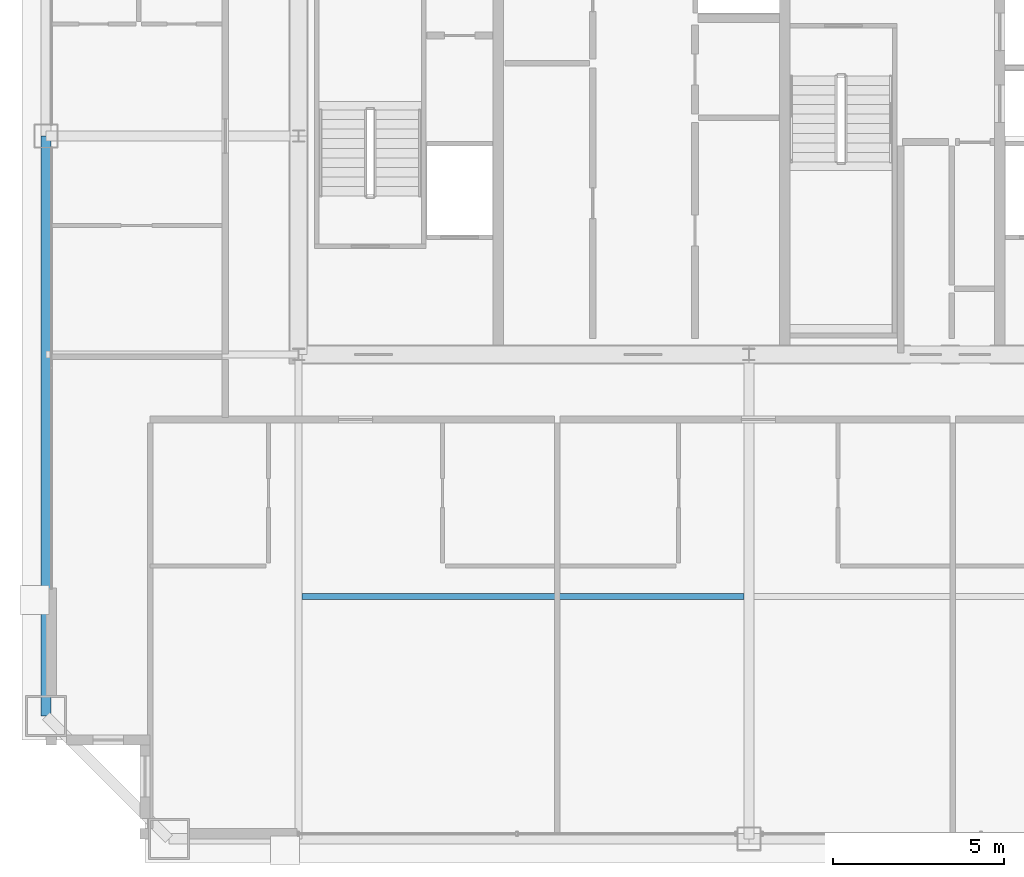
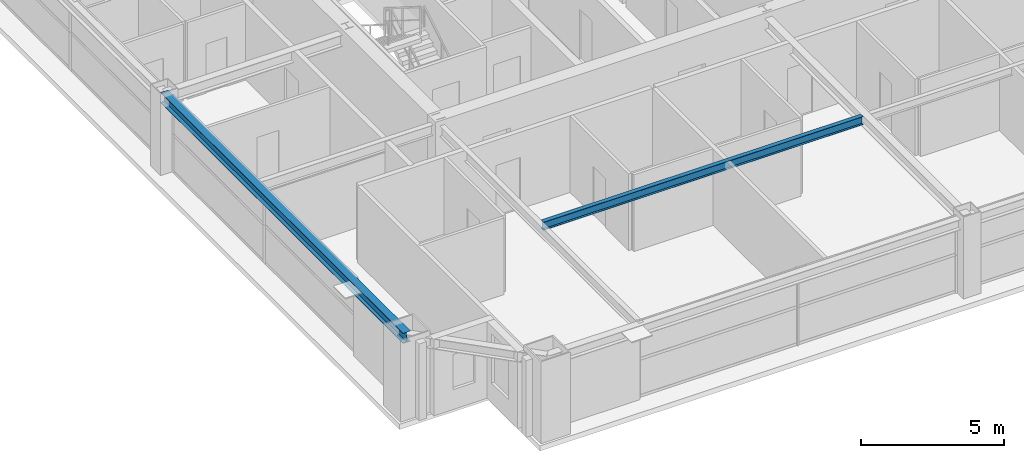
# One storey, part 7 of 37: 2 beams.
"""IFC4 building model written with IfcOpenShell, lengths in metres."""

from ifc_helpers import new_model, si_unit, direction, frame, origin, origin_2d, place, context, subcontext, project, spatial, i_section, extrude, source, transform, mapped, material, material_profile, profile_set, type_object, element, save


model = new_model("IFC4")

# Units and contexts
model_context = context("Model", 3, precision=1e-05, world=origin(), true_north=direction((0.0, 1.0)))
body_context = subcontext(model_context, "Body", "Model", "MODEL_VIEW")
ifc_project = project(units=[si_unit("LENGTHUNIT", "METRE"), si_unit("AREAUNIT", "SQUARE_METRE"), si_unit("VOLUMEUNIT", "CUBIC_METRE"), si_unit("PLANEANGLEUNIT", "RADIAN"), si_unit("MASSUNIT", "GRAM", prefix="KILO"), si_unit("THERMODYNAMICTEMPERATUREUNIT", "KELVIN"), si_unit("POWERUNIT", "WATT")], contexts=[model_context])

# Site, building, storey
site_placement = place(None, origin())
site = spatial("IfcSite", under=ifc_project, at=site_placement, CompositionType="ELEMENT")
building_placement = place(site_placement, origin())
building = spatial("IfcBuilding", under=site, at=building_placement, Name="Yuzanri Waterfront Tower", CompositionType="ELEMENT")
storey_placement = place(building_placement, frame((0.0, 0.0, 275.10009765625)))
storey = spatial("IfcBuildingStorey", under=building, at=storey_placement, Name="L73", CompositionType="ELEMENT", Elevation=275.10009765625)

# Beams
ifc_material_1 = material(Name="Steel Q355B", Category="steel")
ifc_material_profile_1 = material_profile(ifc_material_1, i_section(OverallWidth=0.300048828125, OverallDepth=0.43994140625, WebThickness=0.010986328125, FlangeThickness=0.01806640625, at=origin_2d()), Name="HM 440x300x11x18")
ifc_profile_set_1 = profile_set([ifc_material_profile_1], Name="Steel Q355B")
beam_type_1 = type_object("IfcBeamType", Name="Perimeter Spandrel Q355B HM 440x300", PredefinedType="SPANDREL", material=ifc_profile_set_1)
shared_shape_1 = source(origin(), body_context, "Body", "SweptSolid", [
    extrude(i_section(OverallWidth=0.300048828125, OverallDepth=0.43994140625, WebThickness=0.010986328125, FlangeThickness=0.01806640625, at=origin_2d()), origin(), (0.0, 0.0, 1.0), 17.0),
])
beam_1_placement = place(storey_placement, frame((16.39990234375, 25.800048828125, 3.059814453125), z_axis=(0.0, -1.0, 0.0), x_axis=(1.0, 0.0, 0.0)))
element("IfcBeam", 1, at=beam_1_placement, inside=storey, type_object=beam_type_1, Name="L73 Perimeter Spandrel W2-W1", PredefinedType="SPANDREL", context=body_context, shape_type="MappedRepresentation", body=[
    mapped(shared_shape_1, transform((0.0, 0.0, 0.0), scale=1.0)),
])
ifc_material_2 = material(Name="Steel Q355B", Category="steel")
ifc_material_profile_2 = material_profile(ifc_material_2, i_section(OverallWidth=0.175048828125, OverallDepth=0.35009765625, WebThickness=0.007080078125, FlangeThickness=0.010986328125, at=origin_2d()), Name="HN 350x175x7x11")
ifc_profile_set_2 = profile_set([ifc_material_profile_2], Name="Steel Q355B")
beam_type_2 = type_object("IfcBeamType", Name="Floor Joist Q355B HN 350x175", PredefinedType="JOIST", material=ifc_profile_set_2)
shared_shape_2 = source(origin(), body_context, "Body", "SweptSolid", [
    extrude(i_section(OverallWidth=0.175048828125, OverallDepth=0.35009765625, WebThickness=0.007080078125, FlangeThickness=0.010986328125, at=origin_2d()), origin(), (0.0, 0.0, 1.0), 12.9501953125),
])
beam_2_placement = place(storey_placement, frame((23.89990234375, 12.300048828125, 3.10498046875), z_axis=(1.0, 0.0, 0.0), x_axis=(0.0, 1.0, 0.0)))
element("IfcBeam", 2, at=beam_2_placement, inside=storey, type_object=beam_type_2, Name="L73 South Bay Joist W", PredefinedType="JOIST", context=body_context, shape_type="MappedRepresentation", body=[
    mapped(shared_shape_2, transform((0.0, 0.0, 0.0), scale=1.0)),
])

save(model, "model.ifc")
